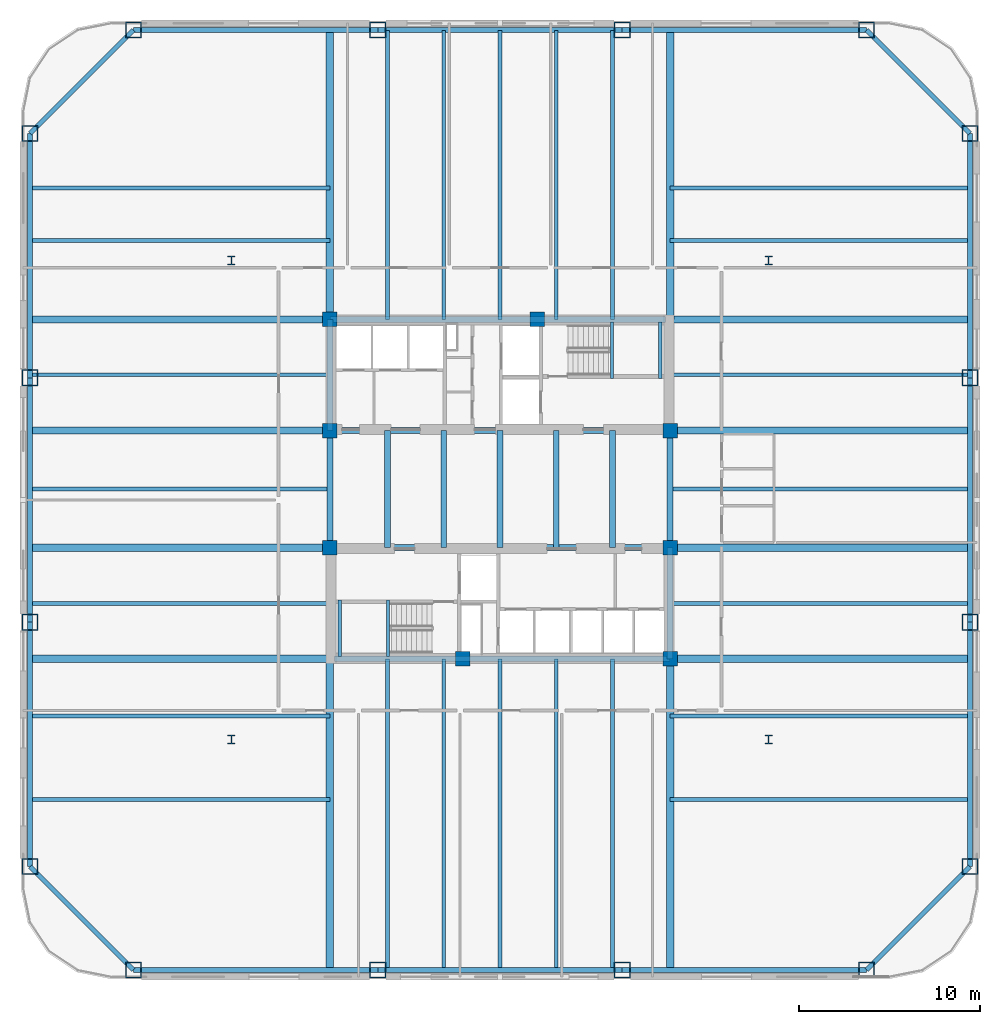
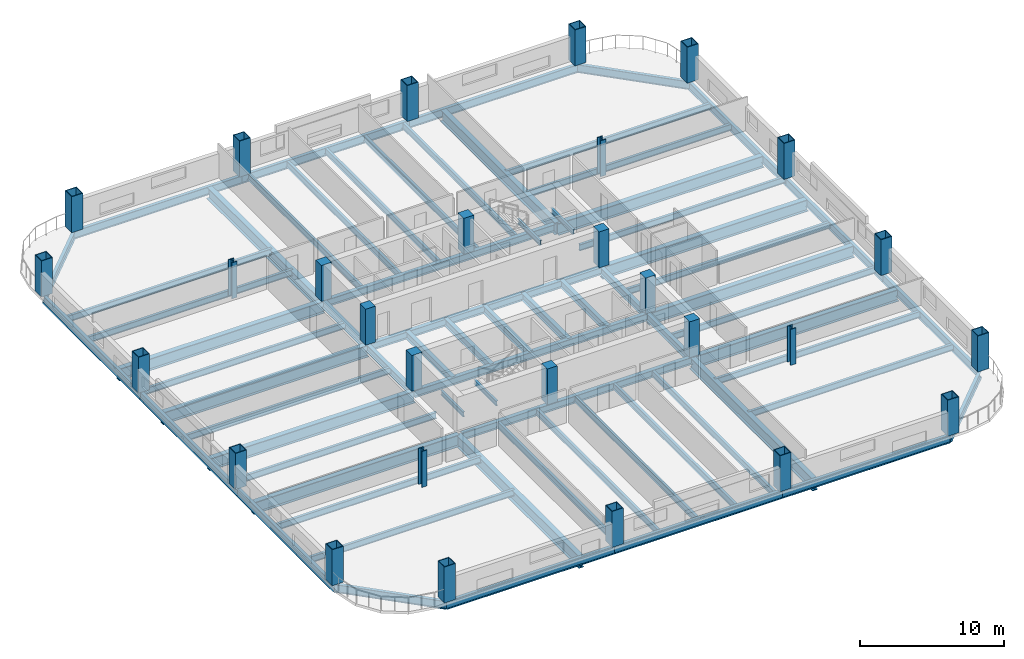
# One storey, part 1 of 12: 69 beams, 28 columns.
"""IFC4 building model written with IfcOpenShell, lengths in metres."""

from ifc_helpers import new_model, si_unit, direction, frame, origin, origin_2d, place, context, subcontext, project, spatial, rectangle, hollow_rectangle, i_section, extrude, material, material_profile, profile_set, type_object, element, save


model = new_model("IFC4")

# Units and contexts
model_context = context("Model", 3, precision=1e-05, world=origin(), true_north=direction((0.0, 1.0)))
body_context = subcontext(model_context, "Body", "Model", "MODEL_VIEW")
ifc_project = project(units=[si_unit("LENGTHUNIT", "METRE"), si_unit("AREAUNIT", "SQUARE_METRE"), si_unit("VOLUMEUNIT", "CUBIC_METRE"), si_unit("PLANEANGLEUNIT", "RADIAN"), si_unit("MASSUNIT", "GRAM", prefix="KILO")], contexts=[model_context])

# Site, building, storey
site_placement = place(None, origin())
site = spatial("IfcSite", under=ifc_project, at=site_placement, CompositionType="ELEMENT")
building_placement = place(site_placement, origin())
building = spatial("IfcBuilding", under=site, at=building_placement, Name="Qhalaya Broadcast Tower", CompositionType="ELEMENT")
storey_placement = place(building_placement, frame((0.0, 0.0, 35.25)))
storey = spatial("IfcBuildingStorey", under=building, at=storey_placement, Name="L09", CompositionType="ELEMENT", Elevation=35.25)

# Columns
ifc_material_1 = material(Name="Concrete C50/60", Category="concrete")
ifc_material_profile_1 = material_profile(ifc_material_1, rectangle(XDim=0.800048828125, YDim=0.800048828125, at=origin_2d()), Name="RC-COL 800x800")
ifc_profile_set_1 = profile_set([ifc_material_profile_1], Name="Concrete C50/60")
column_type_1 = type_object("IfcColumnType", Name="RC Upper Column C10", PredefinedType="COLUMN", material=ifc_profile_set_1)
for number, where, z_axis, x_axis, name in (
    (1, (-9.375, 9.949951171875, 0.0), (0.0, 0.0, 1.0), (1.0, 0.0, 0.0), "L09 Column COL-CC1"),
    (2, (2.050048828125, 9.949951171875, 0.0), (0.0, 0.0, 1.0), (1.0, 0.0, 0.0), "L09 Column COL-CC2"),
    (3, (-9.375, 3.824951171875, 0.0), (0.0, 0.0, 1.0), (1.0, 0.0, 0.0), "L09 Column COL-CC3"),
    (4, (9.375, 3.824951171875, 0.0), (0.0, 0.0, 1.0), (1.0, 0.0, 0.0), "L09 Column COL-CC4"),
    (5, (-9.375, -2.625, 0.0), (0.0, 0.0, 1.0), (1.0, 0.0, 0.0), "L09 Column COL-CC5"),
    (6, (9.375, -2.625, 0.0), (0.0, 0.0, 1.0), (1.0, 0.0, 0.0), "L09 Column COL-CC6"),
    (7, (-2.050048828125, -8.75, 0.0), (0.0, 0.0, 1.0), (1.0, 0.0, 0.0), "L09 Column COL-CC7"),
    (8, (9.375, -8.75, 0.0), (0.0, 0.0, 1.0), (1.0, 0.0, 0.0), "L09 Column COL-CC8"),
):
    element("IfcColumn", number, at=place(storey_placement, frame(where, z_axis=z_axis, x_axis=x_axis)), inside=storey, type_object=column_type_1, Name=name, PredefinedType="COLUMN", context=body_context, shape_type="SweptSolid", body=[
        extrude(rectangle(XDim=0.800048828125, YDim=0.800048828125, at=origin_2d()), origin(), (0.0, 0.0, 1.0), 3.050048828125),
    ])
ifc_material_2 = material(Name="Structural Steel ASTM A992 Grade 50", Category="steel")
ifc_material_profile_2 = material_profile(ifc_material_2, i_section(OverallWidth=0.41796875, OverallDepth=0.510009765625, WebThickness=0.0419921875, FlangeThickness=0.067626953125, at=origin_2d()), Name="W14X370")
ifc_profile_set_2 = profile_set([ifc_material_profile_2], Name="Structural Steel ASTM A992 Grade 50")
column_type_2 = type_object("IfcColumnType", Name="Rolled Gravity Column C06", PredefinedType="COLUMN", material=ifc_profile_set_2)
for number, where, z_axis, x_axis, name in (
    (9, (-14.800048828125, -13.199951171875, 0.0), (0.0, 0.0, 1.0), (1.0, 0.0, 0.0), "L09 Column COL-GR1"),
    (10, (14.800048828125, -13.199951171875, 0.0), (0.0, 0.0, 1.0), (1.0, 0.0, 0.0), "L09 Column COL-GR2"),
    (11, (-14.800048828125, 13.199951171875, 0.0), (0.0, 0.0, 1.0), (1.0, 0.0, 0.0), "L09 Column COL-GR3"),
    (12, (14.800048828125, 13.199951171875, 0.0), (0.0, 0.0, 1.0), (1.0, 0.0, 0.0), "L09 Column COL-GR4"),
):
    element("IfcColumn", number, at=place(storey_placement, frame(where, z_axis=z_axis, x_axis=x_axis)), inside=storey, type_object=column_type_2, Name=name, PredefinedType="COLUMN", context=body_context, shape_type="SweptSolid", body=[
        extrude(i_section(OverallWidth=0.41796875, OverallDepth=0.510009765625, WebThickness=0.0419921875, FlangeThickness=0.067626953125, at=origin_2d()), origin(), (0.0, 0.0, 1.0), 3.050048828125),
    ])
ifc_material_3 = material(Name="Structural Steel ASTM A572 Grade 50", Category="steel")
ifc_material_profile_3 = material_profile(ifc_material_3, hollow_rectangle(XDim=0.89990234375, YDim=0.89990234375, WallThickness=0.054931640625, at=origin_2d()), Name="BOX 900x900x55")
ifc_profile_set_3 = profile_set([ifc_material_profile_3], Name="Structural Steel ASTM A572 Grade 50")
column_type_3 = type_object("IfcColumnType", Name="Steel Box Column C02", PredefinedType="COLUMN", material=ifc_profile_set_3)
for number, where, z_axis, x_axis, name in (
    (13, (-20.199951171875, -25.89990234375, 0.0), (0.0, 0.0, 1.0), (1.0, 0.0, 0.0), "L09 Column COL-EX01"),
    (14, (-6.7333984375, -25.89990234375, 0.0), (0.0, 0.0, 1.0), (1.0, 0.0, 0.0), "L09 Column COL-EX02"),
    (15, (6.7333984375, -25.89990234375, 0.0), (0.0, 0.0, 1.0), (1.0, 0.0, 0.0), "L09 Column COL-EX03"),
    (16, (20.199951171875, -25.89990234375, 0.0), (0.0, 0.0, 1.0), (1.0, 0.0, 0.0), "L09 Column COL-EX04"),
    (17, (25.89990234375, -20.199951171875, 0.0), (0.0, 0.0, 1.0), (0.0, 1.0, 0.0), "L09 Column COL-EX05"),
    (18, (25.89990234375, -6.7333984375, 0.0), (0.0, 0.0, 1.0), (0.0, 1.0, 0.0), "L09 Column COL-EX06"),
    (19, (25.89990234375, 6.7333984375, 0.0), (0.0, 0.0, 1.0), (0.0, 1.0, 0.0), "L09 Column COL-EX07"),
    (20, (25.89990234375, 20.199951171875, 0.0), (0.0, 0.0, 1.0), (0.0, 1.0, 0.0), "L09 Column COL-EX08"),
    (21, (20.199951171875, 25.89990234375, 0.0), (0.0, 0.0, 1.0), (1.0, 0.0, 0.0), "L09 Column COL-EX09"),
    (22, (6.7333984375, 25.89990234375, 0.0), (0.0, 0.0, 1.0), (1.0, 0.0, 0.0), "L09 Column COL-EX10"),
    (23, (-6.7333984375, 25.89990234375, 0.0), (0.0, 0.0, 1.0), (1.0, 0.0, 0.0), "L09 Column COL-EX11"),
    (24, (-20.199951171875, 25.89990234375, 0.0), (0.0, 0.0, 1.0), (1.0, 0.0, 0.0), "L09 Column COL-EX12"),
    (25, (-25.89990234375, 20.199951171875, 0.0), (0.0, 0.0, 1.0), (0.0, 1.0, 0.0), "L09 Column COL-EX13"),
    (26, (-25.89990234375, 6.7333984375, 0.0), (0.0, 0.0, 1.0), (0.0, 1.0, 0.0), "L09 Column COL-EX14"),
    (27, (-25.89990234375, -6.7333984375, 0.0), (0.0, 0.0, 1.0), (0.0, 1.0, 0.0), "L09 Column COL-EX15"),
    (28, (-25.89990234375, -20.199951171875, 0.0), (0.0, 0.0, 1.0), (0.0, 1.0, 0.0), "L09 Column COL-EX16"),
):
    element("IfcColumn", number, at=place(storey_placement, frame(where, z_axis=z_axis, x_axis=x_axis)), inside=storey, type_object=column_type_3, Name=name, PredefinedType="COLUMN", context=body_context, shape_type="SweptSolid", body=[
        extrude(hollow_rectangle(XDim=0.89990234375, YDim=0.89990234375, WallThickness=0.054931640625, at=origin_2d()), origin(), (0.0, 0.0, 1.0), 3.050048828125),
    ])

# Beams
ifc_material_profile_4 = material_profile(ifc_material_2, i_section(OverallWidth=0.2099609375, OverallDepth=0.535888671875, WebThickness=0.010986328125, FlangeThickness=0.017333984375, at=origin_2d()), Name="W21X68")
ifc_profile_set_4 = profile_set([ifc_material_profile_4], Name="Structural Steel ASTM A992 Grade 50")
beam_type_1 = type_object("IfcBeamType", Name="Composite Floor Joist J02", PredefinedType="JOIST", material=ifc_profile_set_4)
beam_1_placement = place(storey_placement, frame((-6.199951171875, -25.8798828125, -0.488037109375), z_axis=(0.0, 1.0, 0.0), x_axis=(-1.0, 0.0, 0.0)))
element("IfcBeam", 29, at=beam_1_placement, inside=storey, type_object=beam_type_1, Name="L09 J02 L09-JNS1-1", PredefinedType="JOIST", context=body_context, shape_type="SweptSolid", body=[
    extrude(i_section(OverallWidth=0.2099609375, OverallDepth=0.535888671875, WebThickness=0.010986328125, FlangeThickness=0.017333984375, at=origin_2d()), origin(), (0.0, 0.0, 1.0), 17.1298828125),
])
beam_2_placement = place(storey_placement, frame((-6.199951171875, 9.949951171875, -0.488037109375), z_axis=(0.0, 1.0, 0.0), x_axis=(-1.0, 0.0, 0.0)))
element("IfcBeam", 30, at=beam_2_placement, inside=storey, type_object=beam_type_1, Name="L09 J02 L09-JNN1-1", PredefinedType="JOIST", context=body_context, shape_type="SweptSolid", body=[
    extrude(i_section(OverallWidth=0.2099609375, OverallDepth=0.535888671875, WebThickness=0.010986328125, FlangeThickness=0.017333984375, at=origin_2d()), origin(), (0.0, 0.0, 1.0), 15.929931640625),
])
beam_3_placement = place(storey_placement, frame((-3.10009765625, -25.8798828125, -0.488037109375), z_axis=(0.0, 1.0, 0.0), x_axis=(-1.0, 0.0, 0.0)))
element("IfcBeam", 31, at=beam_3_placement, inside=storey, type_object=beam_type_1, Name="L09 J02 L09-JNS2-1", PredefinedType="JOIST", context=body_context, shape_type="SweptSolid", body=[
    extrude(i_section(OverallWidth=0.2099609375, OverallDepth=0.535888671875, WebThickness=0.010986328125, FlangeThickness=0.017333984375, at=origin_2d()), origin(), (0.0, 0.0, 1.0), 17.1298828125),
])
beam_4_placement = place(storey_placement, frame((-3.10009765625, 9.949951171875, -0.488037109375), z_axis=(0.0, 1.0, 0.0), x_axis=(-1.0, 0.0, 0.0)))
element("IfcBeam", 32, at=beam_4_placement, inside=storey, type_object=beam_type_1, Name="L09 J02 L09-JNN2-1", PredefinedType="JOIST", context=body_context, shape_type="SweptSolid", body=[
    extrude(i_section(OverallWidth=0.2099609375, OverallDepth=0.535888671875, WebThickness=0.010986328125, FlangeThickness=0.017333984375, at=origin_2d()), origin(), (0.0, 0.0, 1.0), 15.929931640625),
])
beam_5_placement = place(storey_placement, frame((0.0, -25.8798828125, -0.488037109375), z_axis=(0.0, 1.0, 0.0), x_axis=(-1.0, 0.0, 0.0)))
element("IfcBeam", 33, at=beam_5_placement, inside=storey, type_object=beam_type_1, Name="L09 J02 L09-JNS3-1", PredefinedType="JOIST", context=body_context, shape_type="SweptSolid", body=[
    extrude(i_section(OverallWidth=0.2099609375, OverallDepth=0.535888671875, WebThickness=0.010986328125, FlangeThickness=0.017333984375, at=origin_2d()), origin(), (0.0, 0.0, 1.0), 17.1298828125),
])
beam_6_placement = place(storey_placement, frame((0.0, 9.949951171875, -0.488037109375), z_axis=(0.0, 1.0, 0.0), x_axis=(-1.0, 0.0, 0.0)))
element("IfcBeam", 34, at=beam_6_placement, inside=storey, type_object=beam_type_1, Name="L09 J02 L09-JNN3-1", PredefinedType="JOIST", context=body_context, shape_type="SweptSolid", body=[
    extrude(i_section(OverallWidth=0.2099609375, OverallDepth=0.535888671875, WebThickness=0.010986328125, FlangeThickness=0.017333984375, at=origin_2d()), origin(), (0.0, 0.0, 1.0), 15.929931640625),
])
beam_7_placement = place(storey_placement, frame((3.10009765625, -25.8798828125, -0.488037109375), z_axis=(0.0, 1.0, 0.0), x_axis=(-1.0, 0.0, 0.0)))
element("IfcBeam", 35, at=beam_7_placement, inside=storey, type_object=beam_type_1, Name="L09 J02 L09-JNS4-1", PredefinedType="JOIST", context=body_context, shape_type="SweptSolid", body=[
    extrude(i_section(OverallWidth=0.2099609375, OverallDepth=0.535888671875, WebThickness=0.010986328125, FlangeThickness=0.017333984375, at=origin_2d()), origin(), (0.0, 0.0, 1.0), 17.1298828125),
])
beam_8_placement = place(storey_placement, frame((3.10009765625, 9.949951171875, -0.488037109375), z_axis=(0.0, 1.0, 0.0), x_axis=(-1.0, 0.0, 0.0)))
element("IfcBeam", 36, at=beam_8_placement, inside=storey, type_object=beam_type_1, Name="L09 J02 L09-JNN4-1", PredefinedType="JOIST", context=body_context, shape_type="SweptSolid", body=[
    extrude(i_section(OverallWidth=0.2099609375, OverallDepth=0.535888671875, WebThickness=0.010986328125, FlangeThickness=0.017333984375, at=origin_2d()), origin(), (0.0, 0.0, 1.0), 15.929931640625),
])
beam_9_placement = place(storey_placement, frame((6.199951171875, -25.8798828125, -0.488037109375), z_axis=(0.0, 1.0, 0.0), x_axis=(-1.0, 0.0, 0.0)))
element("IfcBeam", 37, at=beam_9_placement, inside=storey, type_object=beam_type_1, Name="L09 J02 L09-JNS5-1", PredefinedType="JOIST", context=body_context, shape_type="SweptSolid", body=[
    extrude(i_section(OverallWidth=0.2099609375, OverallDepth=0.535888671875, WebThickness=0.010986328125, FlangeThickness=0.017333984375, at=origin_2d()), origin(), (0.0, 0.0, 1.0), 17.1298828125),
])
beam_10_placement = place(storey_placement, frame((6.199951171875, 9.949951171875, -0.488037109375), z_axis=(0.0, 1.0, 0.0), x_axis=(-1.0, 0.0, 0.0)))
element("IfcBeam", 38, at=beam_10_placement, inside=storey, type_object=beam_type_1, Name="L09 J02 L09-JNN5-1", PredefinedType="JOIST", context=body_context, shape_type="SweptSolid", body=[
    extrude(i_section(OverallWidth=0.2099609375, OverallDepth=0.535888671875, WebThickness=0.010986328125, FlangeThickness=0.017333984375, at=origin_2d()), origin(), (0.0, 0.0, 1.0), 15.929931640625),
])
for number, where, z_axis, x_axis, name in (
    (39, (-25.8798828125, -16.5, -0.488037109375), (1.0, 0.0, 0.0), (0.0, 1.0, 0.0), "L09 J02 L09-JWE1W-1"),
    (40, (9.375, -16.5, -0.488037109375), (1.0, 0.0, 0.0), (0.0, 1.0, 0.0), "L09 J02 L09-JWE1E-1"),
    (41, (-25.8798828125, -11.89990234375, -0.488037109375), (1.0, 0.0, 0.0), (0.0, 1.0, 0.0), "L09 J02 L09-JWE2W-1"),
    (42, (9.375, -11.89990234375, -0.488037109375), (1.0, 0.0, 0.0), (0.0, 1.0, 0.0), "L09 J02 L09-JWE2E-1"),
    (43, (-25.8798828125, -5.699951171875, -0.488037109375), (1.0, 0.0, 0.0), (0.0, 1.0, 0.0), "L09 J02 L09-JWE3W-1"),
    (44, (9.375, -5.699951171875, -0.488037109375), (1.0, 0.0, 0.0), (0.0, 1.0, 0.0), "L09 J02 L09-JWE3E-1"),
    (45, (-25.8798828125, 0.60009765625, -0.488037109375), (1.0, 0.0, 0.0), (0.0, 1.0, 0.0), "L09 J02 L09-JWE4W-1"),
    (46, (9.375, 0.60009765625, -0.488037109375), (1.0, 0.0, 0.0), (0.0, 1.0, 0.0), "L09 J02 L09-JWE4E-1"),
    (47, (-25.8798828125, 6.89990234375, -0.488037109375), (1.0, 0.0, 0.0), (0.0, 1.0, 0.0), "L09 J02 L09-JWE5W-1"),
    (48, (9.375, 6.89990234375, -0.488037109375), (1.0, 0.0, 0.0), (0.0, 1.0, 0.0), "L09 J02 L09-JWE5E-1"),
    (49, (-25.8798828125, 14.300048828125, -0.488037109375), (1.0, 0.0, 0.0), (0.0, 1.0, 0.0), "L09 J02 L09-JWE6W-1"),
    (50, (9.375, 14.300048828125, -0.488037109375), (1.0, 0.0, 0.0), (0.0, 1.0, 0.0), "L09 J02 L09-JWE6E-1"),
    (51, (-25.8798828125, 17.199951171875, -0.488037109375), (1.0, 0.0, 0.0), (0.0, 1.0, 0.0), "L09 J02 L09-JWE7W-1"),
    (52, (9.375, 17.199951171875, -0.488037109375), (1.0, 0.0, 0.0), (0.0, 1.0, 0.0), "L09 J02 L09-JWE7E-1"),
):
    element("IfcBeam", number, at=place(storey_placement, frame(where, z_axis=z_axis, x_axis=x_axis)), inside=storey, type_object=beam_type_1, Name=name, PredefinedType="JOIST", context=body_context, shape_type="SweptSolid", body=[
        extrude(i_section(OverallWidth=0.2099609375, OverallDepth=0.535888671875, WebThickness=0.010986328125, FlangeThickness=0.017333984375, at=origin_2d()), origin(), (0.0, 0.0, 1.0), 16.5048828125),
    ])
ifc_material_profile_5 = material_profile(ifc_material_2, i_section(OverallWidth=0.323974609375, OverallDepth=0.612060546875, WebThickness=0.0126953125, FlangeThickness=0.01904296875, at=origin_2d()), Name="W24X104")
ifc_profile_set_5 = profile_set([ifc_material_profile_5], Name="Structural Steel ASTM A992 Grade 50")
beam_type_2 = type_object("IfcBeamType", Name="Core Frame Tie Beam B04", PredefinedType="BEAM", material=ifc_profile_set_5)
beam_11_placement = place(storey_placement, frame((-9.375, 3.824951171875, -0.52587890625), z_axis=(1.0, 0.0, 0.0), x_axis=(0.0, 1.0, 0.0)))
element("IfcBeam", 53, at=beam_11_placement, inside=storey, type_object=beam_type_2, Name="L09 B04 L09-CCN1", PredefinedType="BEAM", context=body_context, shape_type="SweptSolid", body=[
    extrude(i_section(OverallWidth=0.323974609375, OverallDepth=0.612060546875, WebThickness=0.0126953125, FlangeThickness=0.01904296875, at=origin_2d()), origin(), (0.0, 0.0, 1.0), 18.75),
])
beam_12_placement = place(storey_placement, frame((-9.375, 3.824951171875, -0.52587890625), z_axis=(0.0, 1.0, 0.0), x_axis=(-1.0, 0.0, 0.0)))
element("IfcBeam", 54, at=beam_12_placement, inside=storey, type_object=beam_type_2, Name="L09 B04 L09-CCN2", PredefinedType="BEAM", context=body_context, shape_type="SweptSolid", body=[
    extrude(i_section(OverallWidth=0.323974609375, OverallDepth=0.612060546875, WebThickness=0.0126953125, FlangeThickness=0.01904296875, at=origin_2d()), origin(), (0.0, 0.0, 1.0), 6.125),
])
beam_13_placement = place(storey_placement, frame((-9.375, 9.949951171875, -0.52587890625), z_axis=(1.0, 0.0, 0.0), x_axis=(0.0, 1.0, 0.0)))
element("IfcBeam", 55, at=beam_13_placement, inside=storey, type_object=beam_type_2, Name="L09 B04 L09-CCN3", PredefinedType="BEAM", context=body_context, shape_type="SweptSolid", body=[
    extrude(i_section(OverallWidth=0.323974609375, OverallDepth=0.612060546875, WebThickness=0.0126953125, FlangeThickness=0.01904296875, at=origin_2d()), origin(), (0.0, 0.0, 1.0), 18.4951171875),
])
beam_14_placement = place(storey_placement, frame((-9.375, -2.625, -0.52587890625), z_axis=(1.0, 0.0, 0.0), x_axis=(0.0, 1.0, 0.0)))
element("IfcBeam", 56, at=beam_14_placement, inside=storey, type_object=beam_type_2, Name="L09 B04 L09-CCS1", PredefinedType="BEAM", context=body_context, shape_type="SweptSolid", body=[
    extrude(i_section(OverallWidth=0.323974609375, OverallDepth=0.612060546875, WebThickness=0.0126953125, FlangeThickness=0.01904296875, at=origin_2d()), origin(), (0.0, 0.0, 1.0), 18.75),
])
beam_15_placement = place(storey_placement, frame((9.375, -8.75, -0.52587890625), z_axis=(0.0, 1.0, 0.0), x_axis=(-1.0, 0.0, 0.0)))
element("IfcBeam", 57, at=beam_15_placement, inside=storey, type_object=beam_type_2, Name="L09 B04 L09-CCS2", PredefinedType="BEAM", context=body_context, shape_type="SweptSolid", body=[
    extrude(i_section(OverallWidth=0.323974609375, OverallDepth=0.612060546875, WebThickness=0.0126953125, FlangeThickness=0.01904296875, at=origin_2d()), origin(), (0.0, 0.0, 1.0), 6.125),
])
beam_16_placement = place(storey_placement, frame((-9.1201171875, -8.75, -0.52587890625), z_axis=(1.0, 0.0, 0.0), x_axis=(0.0, 1.0, 0.0)))
element("IfcBeam", 58, at=beam_16_placement, inside=storey, type_object=beam_type_2, Name="L09 B04 L09-CCS3", PredefinedType="BEAM", context=body_context, shape_type="SweptSolid", body=[
    extrude(i_section(OverallWidth=0.323974609375, OverallDepth=0.612060546875, WebThickness=0.0126953125, FlangeThickness=0.01904296875, at=origin_2d()), origin(), (0.0, 0.0, 1.0), 18.4951171875),
])
for number, where, z_axis, x_axis, name in (
    (59, (-9.375, -2.625, -0.52587890625), (0.0, 1.0, 0.0), (-1.0, 0.0, 0.0), "L09 B04 L09-CCW"),
    (60, (9.375, -2.625, -0.52587890625), (0.0, 1.0, 0.0), (-1.0, 0.0, 0.0), "L09 B04 L09-CCE"),
    (61, (-6.199951171875, -2.625, -0.52587890625), (0.0, 1.0, 0.0), (-1.0, 0.0, 0.0), "L09 B04 L09-JC1-1"),
    (62, (-3.10009765625, -2.625, -0.52587890625), (0.0, 1.0, 0.0), (-1.0, 0.0, 0.0), "L09 B04 L09-JC2-1"),
    (63, (0.0, -2.625, -0.52587890625), (0.0, 1.0, 0.0), (-1.0, 0.0, 0.0), "L09 B04 L09-JC3-1"),
    (64, (3.10009765625, -2.625, -0.52587890625), (0.0, 1.0, 0.0), (-1.0, 0.0, 0.0), "L09 B04 L09-JC4-1"),
    (65, (6.199951171875, -2.625, -0.52587890625), (0.0, 1.0, 0.0), (-1.0, 0.0, 0.0), "L09 B04 L09-JC5-1"),
):
    element("IfcBeam", number, at=place(storey_placement, frame(where, z_axis=z_axis, x_axis=x_axis)), inside=storey, type_object=beam_type_2, Name=name, PredefinedType="BEAM", context=body_context, shape_type="SweptSolid", body=[
        extrude(i_section(OverallWidth=0.323974609375, OverallDepth=0.612060546875, WebThickness=0.0126953125, FlangeThickness=0.01904296875, at=origin_2d()), origin(), (0.0, 0.0, 1.0), 6.449951171875),
    ])
ifc_material_profile_6 = material_profile(ifc_material_2, i_section(OverallWidth=0.40087890625, OverallDepth=1.010986328125, WebThickness=0.023681640625, FlangeThickness=0.0419921875, at=origin_2d()), Name="W40X297")
ifc_profile_set_6 = profile_set([ifc_material_profile_6], Name="Structural Steel ASTM A992 Grade 50")
beam_type_3 = type_object("IfcBeamType", Name="Lower Block Primary Girder PG2", PredefinedType="USERDEFINED", material=ifc_profile_set_6)
beam_17_placement = place(storey_placement, frame((-9.375, -25.8798828125, -0.7255859375), z_axis=(0.0, 1.0, 0.0), x_axis=(-1.0, 0.0, 0.0)))
element("IfcBeam", 66, at=beam_17_placement, inside=storey, type_object=beam_type_3, Name="L09 PG2 L09-PGXS1-1", ObjectType="GIRDER", PredefinedType="USERDEFINED", context=body_context, shape_type="SweptSolid", body=[
    extrude(i_section(OverallWidth=0.40087890625, OverallDepth=1.010986328125, WebThickness=0.023681640625, FlangeThickness=0.0419921875, at=origin_2d()), origin(), (0.0, 0.0, 1.0), 17.1298828125),
])
beam_18_placement = place(storey_placement, frame((-9.375, 9.949951171875, -0.7255859375), z_axis=(0.0, 1.0, 0.0), x_axis=(-1.0, 0.0, 0.0)))
element("IfcBeam", 67, at=beam_18_placement, inside=storey, type_object=beam_type_3, Name="L09 PG2 L09-PGXN1-1", ObjectType="GIRDER", PredefinedType="USERDEFINED", context=body_context, shape_type="SweptSolid", body=[
    extrude(i_section(OverallWidth=0.40087890625, OverallDepth=1.010986328125, WebThickness=0.023681640625, FlangeThickness=0.0419921875, at=origin_2d()), origin(), (0.0, 0.0, 1.0), 15.929931640625),
])
beam_19_placement = place(storey_placement, frame((9.375, -25.8798828125, -0.7255859375), z_axis=(0.0, 1.0, 0.0), x_axis=(-1.0, 0.0, 0.0)))
element("IfcBeam", 68, at=beam_19_placement, inside=storey, type_object=beam_type_3, Name="L09 PG2 L09-PGXS2-1", ObjectType="GIRDER", PredefinedType="USERDEFINED", context=body_context, shape_type="SweptSolid", body=[
    extrude(i_section(OverallWidth=0.40087890625, OverallDepth=1.010986328125, WebThickness=0.023681640625, FlangeThickness=0.0419921875, at=origin_2d()), origin(), (0.0, 0.0, 1.0), 17.1298828125),
])
beam_20_placement = place(storey_placement, frame((9.375, 9.949951171875, -0.7255859375), z_axis=(0.0, 1.0, 0.0), x_axis=(-1.0, 0.0, 0.0)))
element("IfcBeam", 69, at=beam_20_placement, inside=storey, type_object=beam_type_3, Name="L09 PG2 L09-PGXN2-1", ObjectType="GIRDER", PredefinedType="USERDEFINED", context=body_context, shape_type="SweptSolid", body=[
    extrude(i_section(OverallWidth=0.40087890625, OverallDepth=1.010986328125, WebThickness=0.023681640625, FlangeThickness=0.0419921875, at=origin_2d()), origin(), (0.0, 0.0, 1.0), 15.929931640625),
])
for number, where, z_axis, x_axis, name in (
    (70, (-25.8798828125, -8.75, -0.7255859375), (1.0, 0.0, 0.0), (0.0, 1.0, 0.0), "L09 PG2 L09-PGYW1-1"),
    (71, (9.375, -8.75, -0.7255859375), (1.0, 0.0, 0.0), (0.0, 1.0, 0.0), "L09 PG2 L09-PGYE1-1"),
    (72, (-25.8798828125, -2.625, -0.7255859375), (1.0, 0.0, 0.0), (0.0, 1.0, 0.0), "L09 PG2 L09-PGYW2-1"),
    (73, (9.375, -2.625, -0.7255859375), (1.0, 0.0, 0.0), (0.0, 1.0, 0.0), "L09 PG2 L09-PGYE2-1"),
    (74, (-25.8798828125, 3.824951171875, -0.7255859375), (1.0, 0.0, 0.0), (0.0, 1.0, 0.0), "L09 PG2 L09-PGYW3-1"),
    (75, (9.375, 3.824951171875, -0.7255859375), (1.0, 0.0, 0.0), (0.0, 1.0, 0.0), "L09 PG2 L09-PGYE3-1"),
    (76, (-25.8798828125, 9.949951171875, -0.7255859375), (1.0, 0.0, 0.0), (0.0, 1.0, 0.0), "L09 PG2 L09-PGYW4-1"),
    (77, (9.375, 9.949951171875, -0.7255859375), (1.0, 0.0, 0.0), (0.0, 1.0, 0.0), "L09 PG2 L09-PGYE4-1"),
):
    element("IfcBeam", number, at=place(storey_placement, frame(where, z_axis=z_axis, x_axis=x_axis)), inside=storey, type_object=beam_type_3, Name=name, ObjectType="GIRDER", PredefinedType="USERDEFINED", context=body_context, shape_type="SweptSolid", body=[
        extrude(i_section(OverallWidth=0.40087890625, OverallDepth=1.010986328125, WebThickness=0.023681640625, FlangeThickness=0.0419921875, at=origin_2d()), origin(), (0.0, 0.0, 1.0), 16.5048828125),
    ])
ifc_material_profile_7 = material_profile(ifc_material_2, i_section(OverallWidth=0.25390625, OverallDepth=0.68310546875, WebThickness=0.012451171875, FlangeThickness=0.01904296875, at=origin_2d()), Name="W27X94")
ifc_profile_set_7 = profile_set([ifc_material_profile_7], Name="Structural Steel ASTM A992 Grade 50")
beam_type_4 = type_object("IfcBeamType", Name="Perimeter Ring Spandrel Beam SP1", PredefinedType="SPANDREL", material=ifc_profile_set_7)
beam_21_placement = place(storey_placement, frame((-20.199951171875, -25.89990234375, -0.5615234375), z_axis=(1.0, 0.0, 0.0), x_axis=(0.0, 1.0, 0.0)))
element("IfcBeam", 78, at=beam_21_placement, inside=storey, type_object=beam_type_4, Name="L09 SP1 L09-SPR-01", PredefinedType="SPANDREL", context=body_context, shape_type="SweptSolid", body=[
    extrude(i_section(OverallWidth=0.25390625, OverallDepth=0.68310546875, WebThickness=0.012451171875, FlangeThickness=0.01904296875, at=origin_2d()), origin(), (0.0, 0.0, 1.0), 13.466552734375),
])
beam_22_placement = place(storey_placement, frame((-6.7333984375, -25.89990234375, -0.5615234375), z_axis=(1.0, 0.0, 0.0), x_axis=(0.0, 1.0, 0.0)))
element("IfcBeam", 79, at=beam_22_placement, inside=storey, type_object=beam_type_4, Name="L09 SP1 L09-SPR-02", PredefinedType="SPANDREL", context=body_context, shape_type="SweptSolid", body=[
    extrude(i_section(OverallWidth=0.25390625, OverallDepth=0.68310546875, WebThickness=0.012451171875, FlangeThickness=0.01904296875, at=origin_2d()), origin(), (0.0, 0.0, 1.0), 13.466796875),
])
beam_23_placement = place(storey_placement, frame((6.7333984375, -25.89990234375, -0.5615234375), z_axis=(1.0, 0.0, 0.0), x_axis=(0.0, 1.0, 0.0)))
element("IfcBeam", 80, at=beam_23_placement, inside=storey, type_object=beam_type_4, Name="L09 SP1 L09-SPR-03", PredefinedType="SPANDREL", context=body_context, shape_type="SweptSolid", body=[
    extrude(i_section(OverallWidth=0.25390625, OverallDepth=0.68310546875, WebThickness=0.012451171875, FlangeThickness=0.01904296875, at=origin_2d()), origin(), (0.0, 0.0, 1.0), 13.466552734375),
])
beam_24_placement = place(storey_placement, frame((20.199951171875, -25.89990234375, -0.5615234375), z_axis=(0.707106781187, 0.707106781187, 0.0), x_axis=(-0.707106781187, 0.707106781187, 0.0)))
element("IfcBeam", 81, at=beam_24_placement, inside=storey, type_object=beam_type_4, Name="L09 SP1 L09-SPR-04", PredefinedType="SPANDREL", context=body_context, shape_type="SweptSolid", body=[
    extrude(i_section(OverallWidth=0.25390625, OverallDepth=0.68310546875, WebThickness=0.012451171875, FlangeThickness=0.01904296875, at=origin_2d()), origin(), (0.0, 0.0, 1.0), 8.06103515625),
])
beam_25_placement = place(storey_placement, frame((25.89990234375, -20.199951171875, -0.5615234375), z_axis=(0.0, 1.0, 0.0), x_axis=(-1.0, 0.0, 0.0)))
element("IfcBeam", 82, at=beam_25_placement, inside=storey, type_object=beam_type_4, Name="L09 SP1 L09-SPR-05", PredefinedType="SPANDREL", context=body_context, shape_type="SweptSolid", body=[
    extrude(i_section(OverallWidth=0.25390625, OverallDepth=0.68310546875, WebThickness=0.012451171875, FlangeThickness=0.01904296875, at=origin_2d()), origin(), (0.0, 0.0, 1.0), 13.466552734375),
])
beam_26_placement = place(storey_placement, frame((25.89990234375, -6.7333984375, -0.5615234375), z_axis=(0.0, 1.0, 0.0), x_axis=(-1.0, 0.0, 0.0)))
element("IfcBeam", 83, at=beam_26_placement, inside=storey, type_object=beam_type_4, Name="L09 SP1 L09-SPR-06", PredefinedType="SPANDREL", context=body_context, shape_type="SweptSolid", body=[
    extrude(i_section(OverallWidth=0.25390625, OverallDepth=0.68310546875, WebThickness=0.012451171875, FlangeThickness=0.01904296875, at=origin_2d()), origin(), (0.0, 0.0, 1.0), 13.466796875),
])
beam_27_placement = place(storey_placement, frame((25.89990234375, 6.7333984375, -0.5615234375), z_axis=(0.0, 1.0, 0.0), x_axis=(-1.0, 0.0, 0.0)))
element("IfcBeam", 84, at=beam_27_placement, inside=storey, type_object=beam_type_4, Name="L09 SP1 L09-SPR-07", PredefinedType="SPANDREL", context=body_context, shape_type="SweptSolid", body=[
    extrude(i_section(OverallWidth=0.25390625, OverallDepth=0.68310546875, WebThickness=0.012451171875, FlangeThickness=0.01904296875, at=origin_2d()), origin(), (0.0, 0.0, 1.0), 13.466552734375),
])
beam_28_placement = place(storey_placement, frame((25.89990234375, 20.199951171875, -0.5615234375), z_axis=(-0.707106781187, 0.707106781187, 0.0), x_axis=(-0.707106781187, -0.707106781187, 0.0)))
element("IfcBeam", 85, at=beam_28_placement, inside=storey, type_object=beam_type_4, Name="L09 SP1 L09-SPR-08", PredefinedType="SPANDREL", context=body_context, shape_type="SweptSolid", body=[
    extrude(i_section(OverallWidth=0.25390625, OverallDepth=0.68310546875, WebThickness=0.012451171875, FlangeThickness=0.01904296875, at=origin_2d()), origin(), (0.0, 0.0, 1.0), 8.06103515625),
])
beam_29_placement = place(storey_placement, frame((20.199951171875, 25.89990234375, -0.5615234375), z_axis=(-1.0, 0.0, 0.0), x_axis=(0.0, -1.0, 0.0)))
element("IfcBeam", 86, at=beam_29_placement, inside=storey, type_object=beam_type_4, Name="L09 SP1 L09-SPR-09", PredefinedType="SPANDREL", context=body_context, shape_type="SweptSolid", body=[
    extrude(i_section(OverallWidth=0.25390625, OverallDepth=0.68310546875, WebThickness=0.012451171875, FlangeThickness=0.01904296875, at=origin_2d()), origin(), (0.0, 0.0, 1.0), 13.466552734375),
])
beam_30_placement = place(storey_placement, frame((6.7333984375, 25.89990234375, -0.5615234375), z_axis=(-1.0, 0.0, 0.0), x_axis=(0.0, -1.0, 0.0)))
element("IfcBeam", 87, at=beam_30_placement, inside=storey, type_object=beam_type_4, Name="L09 SP1 L09-SPR-10", PredefinedType="SPANDREL", context=body_context, shape_type="SweptSolid", body=[
    extrude(i_section(OverallWidth=0.25390625, OverallDepth=0.68310546875, WebThickness=0.012451171875, FlangeThickness=0.01904296875, at=origin_2d()), origin(), (0.0, 0.0, 1.0), 13.466796875),
])
beam_31_placement = place(storey_placement, frame((-6.7333984375, 25.89990234375, -0.5615234375), z_axis=(-1.0, 0.0, 0.0), x_axis=(0.0, -1.0, 0.0)))
element("IfcBeam", 88, at=beam_31_placement, inside=storey, type_object=beam_type_4, Name="L09 SP1 L09-SPR-11", PredefinedType="SPANDREL", context=body_context, shape_type="SweptSolid", body=[
    extrude(i_section(OverallWidth=0.25390625, OverallDepth=0.68310546875, WebThickness=0.012451171875, FlangeThickness=0.01904296875, at=origin_2d()), origin(), (0.0, 0.0, 1.0), 13.466552734375),
])
beam_32_placement = place(storey_placement, frame((-20.199951171875, 25.89990234375, -0.5615234375), z_axis=(-0.707106781187, -0.707106781187, 0.0), x_axis=(0.707106781187, -0.707106781187, 0.0)))
element("IfcBeam", 89, at=beam_32_placement, inside=storey, type_object=beam_type_4, Name="L09 SP1 L09-SPR-12", PredefinedType="SPANDREL", context=body_context, shape_type="SweptSolid", body=[
    extrude(i_section(OverallWidth=0.25390625, OverallDepth=0.68310546875, WebThickness=0.012451171875, FlangeThickness=0.01904296875, at=origin_2d()), origin(), (0.0, 0.0, 1.0), 8.06103515625),
])
beam_33_placement = place(storey_placement, frame((-25.89990234375, 20.199951171875, -0.5615234375), z_axis=(0.0, -1.0, 0.0), x_axis=(1.0, 0.0, 0.0)))
element("IfcBeam", 90, at=beam_33_placement, inside=storey, type_object=beam_type_4, Name="L09 SP1 L09-SPR-13", PredefinedType="SPANDREL", context=body_context, shape_type="SweptSolid", body=[
    extrude(i_section(OverallWidth=0.25390625, OverallDepth=0.68310546875, WebThickness=0.012451171875, FlangeThickness=0.01904296875, at=origin_2d()), origin(), (0.0, 0.0, 1.0), 13.466552734375),
])
beam_34_placement = place(storey_placement, frame((-25.89990234375, 6.7333984375, -0.5615234375), z_axis=(0.0, -1.0, 0.0), x_axis=(1.0, 0.0, 0.0)))
element("IfcBeam", 91, at=beam_34_placement, inside=storey, type_object=beam_type_4, Name="L09 SP1 L09-SPR-14", PredefinedType="SPANDREL", context=body_context, shape_type="SweptSolid", body=[
    extrude(i_section(OverallWidth=0.25390625, OverallDepth=0.68310546875, WebThickness=0.012451171875, FlangeThickness=0.01904296875, at=origin_2d()), origin(), (0.0, 0.0, 1.0), 13.466796875),
])
beam_35_placement = place(storey_placement, frame((-25.89990234375, -6.7333984375, -0.5615234375), z_axis=(0.0, -1.0, 0.0), x_axis=(1.0, 0.0, 0.0)))
element("IfcBeam", 92, at=beam_35_placement, inside=storey, type_object=beam_type_4, Name="L09 SP1 L09-SPR-15", PredefinedType="SPANDREL", context=body_context, shape_type="SweptSolid", body=[
    extrude(i_section(OverallWidth=0.25390625, OverallDepth=0.68310546875, WebThickness=0.012451171875, FlangeThickness=0.01904296875, at=origin_2d()), origin(), (0.0, 0.0, 1.0), 13.466552734375),
])
beam_36_placement = place(storey_placement, frame((-25.89990234375, -20.199951171875, -0.5615234375), z_axis=(0.707106781187, -0.707106781187, 0.0), x_axis=(0.707106781187, 0.707106781187, 0.0)))
element("IfcBeam", 93, at=beam_36_placement, inside=storey, type_object=beam_type_4, Name="L09 SP1 L09-SPR-16", PredefinedType="SPANDREL", context=body_context, shape_type="SweptSolid", body=[
    extrude(i_section(OverallWidth=0.25390625, OverallDepth=0.68310546875, WebThickness=0.012451171875, FlangeThickness=0.01904296875, at=origin_2d()), origin(), (0.0, 0.0, 1.0), 8.06103515625),
])
ifc_material_profile_8 = material_profile(ifc_material_2, i_section(OverallWidth=0.177978515625, OverallDepth=0.406005859375, WebThickness=0.0078125, FlangeThickness=0.0126953125, at=origin_2d()), Name="W16X40")
ifc_profile_set_8 = profile_set([ifc_material_profile_8], Name="Structural Steel ASTM A992 Grade 50")
beam_type_5 = type_object("IfcBeamType", Name="Upper Perimeter Spandrel Beam SP2", PredefinedType="SPANDREL", material=ifc_profile_set_8)
for number, where, z_axis, x_axis, name in (
    (94, (6.175048828125, 6.699951171875, 1.1220703125), (0.0, 1.0, 0.0), (-1.0, 0.0, 0.0), "L09 ST-1 Half-Landing Bearer Beam 1"),
    (95, (8.830078125, 6.699951171875, 1.1220703125), (0.0, 1.0, 0.0), (-1.0, 0.0, 0.0), "L09 ST-1 Half-Landing Bearer Beam 2"),
    (96, (-8.830078125, -8.6201171875, 1.1220703125), (0.0, 1.0, 0.0), (-1.0, 0.0, 0.0), "L09 ST-2 Half-Landing Bearer Beam 1"),
    (97, (-6.175048828125, -8.6201171875, 1.1220703125), (0.0, 1.0, 0.0), (-1.0, 0.0, 0.0), "L09 ST-2 Half-Landing Bearer Beam 2"),
):
    element("IfcBeam", number, at=place(storey_placement, frame(where, z_axis=z_axis, x_axis=x_axis)), inside=storey, type_object=beam_type_5, Name=name, PredefinedType="SPANDREL", context=body_context, shape_type="SweptSolid", body=[
        extrude(i_section(OverallWidth=0.177978515625, OverallDepth=0.406005859375, WebThickness=0.0078125, FlangeThickness=0.0126953125, at=origin_2d()), origin(), (0.0, 0.0, 1.0), 3.1201171875),
    ])

save(model, "model.ifc")
